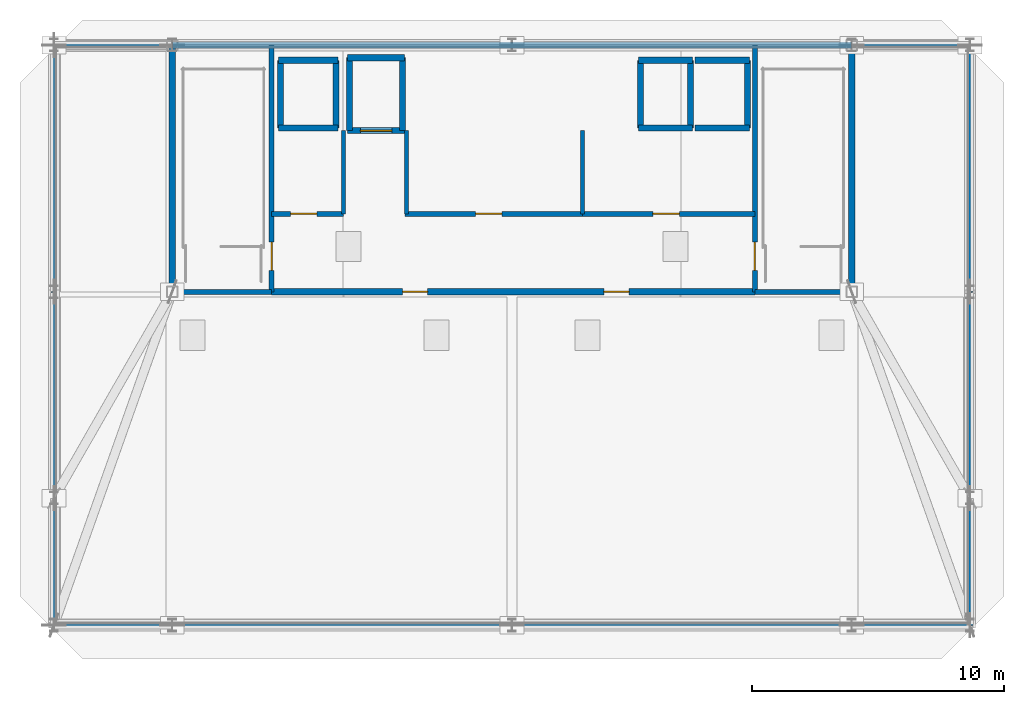
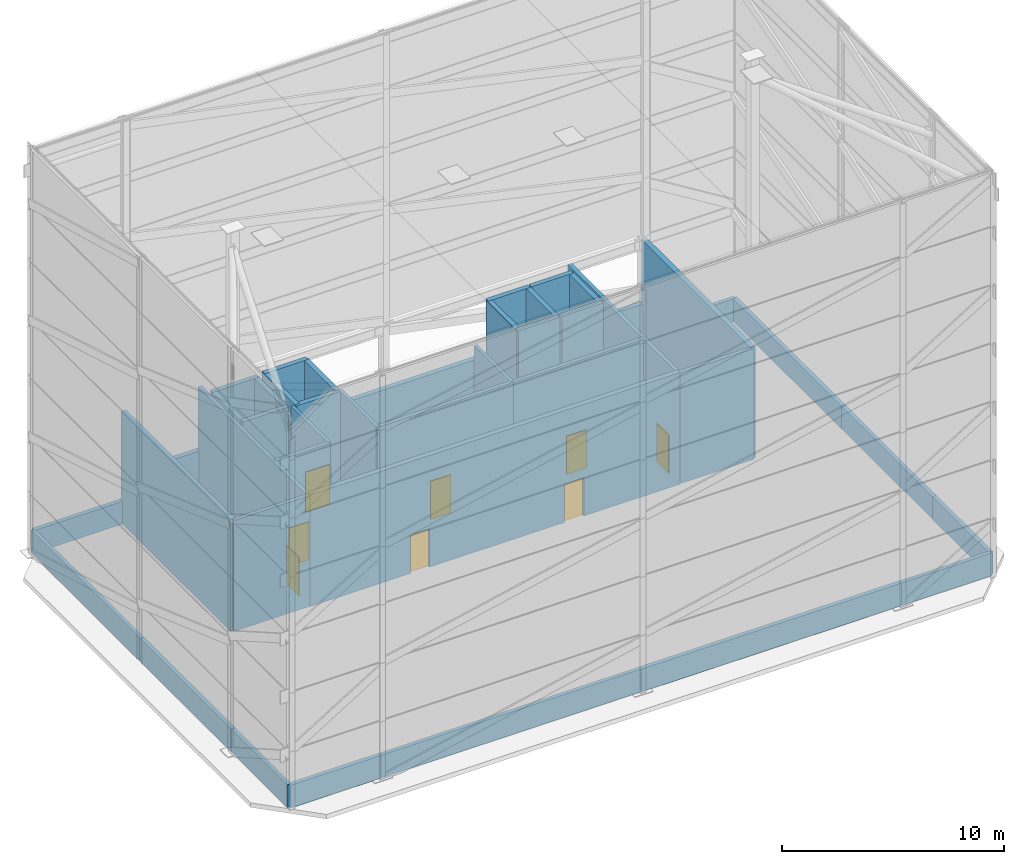
# One storey, part 6 of 8: 41 walls, 8 doors, 8 openings.
"""IFC4 building model written with IfcOpenShell, lengths in metres."""

from ifc_helpers import new_model, si_unit, direction, frame, frame_2d, origin, place, context, subcontext, project, spatial, rectangle, extrude, material, layer, layer_set, type_object, element, fill, save


model = new_model("IFC4")

# Units and contexts
model_context = context("Model", 3, precision=1e-05, world=origin(), true_north=direction((0.0, 1.0)))
body_context = subcontext(model_context, "Body", "Model", "MODEL_VIEW")
ifc_project = project(units=[si_unit("LENGTHUNIT", "METRE"), si_unit("AREAUNIT", "SQUARE_METRE"), si_unit("VOLUMEUNIT", "CUBIC_METRE"), si_unit("PLANEANGLEUNIT", "RADIAN"), si_unit("MASSUNIT", "GRAM", prefix="KILO")], contexts=[model_context])

# Site, building, storey
site_placement = place(None, origin())
site = spatial("IfcSite", under=ifc_project, at=site_placement, CompositionType="ELEMENT")
building_placement = place(site_placement, origin())
building = spatial("IfcBuilding", under=site, at=building_placement, Name="Haevon Station Towers", CompositionType="ELEMENT")
storey_placement = place(building_placement, frame((0.0, 0.0, 270.0)))
storey = spatial("IfcBuildingStorey", under=building, at=storey_placement, Name="Roof", CompositionType="ELEMENT", Elevation=270.0)

# Wall
ifc_material_1 = material(Name="Gypsum board on steel stud", Category="steel")
ifc_layer_1 = layer(ifc_material_1, 0.199951171875)
ifc_layer_set_1 = layer_set([ifc_layer_1], Name="Gypsum board on steel stud")
wall_type_1 = type_object("IfcWallType", Name="WL-COR200", PredefinedType="PARTITIONING", material=ifc_layer_set_1)
wall_1_placement = place(storey_placement, frame((24.0, 38.199951171875, 0.0), z_axis=(0.0, 0.0, 1.0), x_axis=(1.0, 0.0, 0.0)))
element("IfcWall", 1, at=wall_1_placement, inside=storey, type_object=wall_type_1, Name="WL-ST-ST1-Roof-S", PredefinedType="PARTITIONING", context=body_context, shape_type="SweptSolid", body=[
    extrude(rectangle(XDim=3.949951171875, YDim=0.199951171875, at=frame_2d((1.97509765625, 0.0))), origin(), (0.0, 0.0, 1.0), 6.080078125),
])

# Wall, opening, door
wall_2_placement = place(storey_placement, frame((27.949951171875, 38.199951171875, 0.0), z_axis=(0.0, 0.0, 1.0), x_axis=(0.0, 1.0, 0.0)))
wall_2 = element("IfcWall", 2, at=wall_2_placement, inside=storey, type_object=wall_type_1, Name="WL-ST-ST1-Roof-M", PredefinedType="PARTITIONING", context=body_context, shape_type="SweptSolid", body=[
    extrude(rectangle(XDim=9.800048828125, YDim=0.199951171875, at=frame_2d((4.89990234375, 0.0))), origin(), (0.0, 0.0, 1.0), 6.080078125),
])
opening_1_placement = place(wall_2_placement, frame((0.85009765625, 0.0, 0.0)))
opening_1 = element("IfcOpeningElement", 3, at=opening_1_placement, cuts=wall_2, Name="Opening DR-ST-ST1-Roof", PredefinedType="OPENING", context=body_context, shape_type="SweptSolid", body=[
    extrude(rectangle(XDim=1.1201171875, YDim=2.10009765625, at=frame_2d((0.56005859375, 1.050048828125))), frame((0.0, 0.10986328125, 0.0), z_axis=(0.0, -1.0, 0.0), x_axis=(1.0, 0.0, 0.0)), (0.0, 0.0, 1.0), 0.219970703125),
])
ifc_material_2 = material(Name="Engineered oak timber", Category="wood")
door_type_1 = type_object("IfcDoorType", Name="DR-ST-1120", OperationType="NOTDEFINED", PredefinedType="DOOR", material=ifc_material_2)
door_1_placement = place(opening_1_placement, origin())
door_1 = element("IfcDoor", 4, at=door_1_placement, inside=storey, type_object=door_type_1, Name="Roof Escape Stair ST1 Door", OperationType="SINGLE_SWING_RIGHT", OverallHeight=2.10009765625, OverallWidth=1.1201171875, PredefinedType="DOOR", context=body_context, shape_type="SweptSolid", body=[
    extrude(rectangle(XDim=1.1201171875, YDim=2.10009765625, at=frame_2d((0.56005859375, 1.050048828125))), frame((0.0, 0.02490234375, 0.0), z_axis=(0.0, -1.0, 0.0), x_axis=(1.0, 0.0, 0.0)), (0.0, 0.0, 1.0), 0.050048828125),
])
fill(opening_1, door_1)

# Wall
wall_3_placement = place(storey_placement, frame((47.14990234375, 38.199951171875, 0.0), z_axis=(0.0, 0.0, 1.0), x_axis=(1.0, 0.0, 0.0)))
element("IfcWall", 5, at=wall_3_placement, inside=storey, type_object=wall_type_1, Name="WL-ST-ST2-Roof-S", PredefinedType="PARTITIONING", context=body_context, shape_type="SweptSolid", body=[
    extrude(rectangle(XDim=3.85009765625, YDim=0.199951171875, at=frame_2d((1.925048828125, 0.0))), origin(), (0.0, 0.0, 1.0), 6.080078125),
])

# Wall, opening, door
wall_4_placement = place(storey_placement, frame((47.14990234375, 38.199951171875, 0.0), z_axis=(0.0, 0.0, 1.0), x_axis=(0.0, 1.0, 0.0)))
wall_4 = element("IfcWall", 6, at=wall_4_placement, inside=storey, type_object=wall_type_1, Name="WL-ST-ST2-Roof-M", PredefinedType="PARTITIONING", context=body_context, shape_type="SweptSolid", body=[
    extrude(rectangle(XDim=9.800048828125, YDim=0.199951171875, at=frame_2d((4.89990234375, 0.0))), origin(), (0.0, 0.0, 1.0), 6.080078125),
])
opening_2_placement = place(wall_4_placement, frame((0.85009765625, 0.0, 0.0)))
opening_2 = element("IfcOpeningElement", 7, at=opening_2_placement, cuts=wall_4, Name="Opening DR-ST-ST2-Roof", PredefinedType="OPENING", context=body_context, shape_type="SweptSolid", body=[
    extrude(rectangle(XDim=1.1201171875, YDim=2.10009765625, at=frame_2d((0.56005859375, 1.050048828125))), frame((0.0, 0.10986328125, 0.0), z_axis=(0.0, -1.0, 0.0), x_axis=(1.0, 0.0, 0.0)), (0.0, 0.0, 1.0), 0.219970703125),
])
door_2_placement = place(opening_2_placement, origin())
door_2 = element("IfcDoor", 8, at=door_2_placement, inside=storey, type_object=door_type_1, Name="Roof Escape Stair ST2 Door", OperationType="SINGLE_SWING_LEFT", OverallHeight=2.10009765625, OverallWidth=1.1201171875, PredefinedType="DOOR", context=body_context, shape_type="SweptSolid", body=[
    extrude(rectangle(XDim=1.1201171875, YDim=2.10009765625, at=frame_2d((0.56005859375, 1.050048828125))), frame((0.0, 0.02490234375, 0.0), z_axis=(0.0, -1.0, 0.0), x_axis=(1.0, 0.0, 0.0)), (0.0, 0.0, 1.0), 0.050048828125),
])
fill(opening_2, door_2)

wall_5_placement = place(storey_placement, frame((27.949951171875, 41.300048828125, 0.0), z_axis=(0.0, 0.0, 1.0), x_axis=(1.0, 0.0, 0.0)))
wall_5 = element("IfcWall", 9, at=wall_5_placement, inside=storey, type_object=wall_type_1, Name="WL-RF-WTANK-S", PredefinedType="PARTITIONING", context=body_context, shape_type="SweptSolid", body=[
    extrude(rectangle(XDim=2.85009765625, YDim=0.199951171875, at=frame_2d((1.425048828125, 0.0))), origin(), (0.0, 0.0, 1.0), 6.080078125),
])
opening_3_placement = place(wall_5_placement, frame((0.75, 0.0, 0.0)))
opening_3 = element("IfcOpeningElement", 10, at=opening_3_placement, cuts=wall_5, Name="Opening DR-RF-WTANK-S", PredefinedType="OPENING", context=body_context, shape_type="SweptSolid", body=[
    extrude(rectangle(XDim=1.050048828125, YDim=2.10009765625, at=frame_2d((0.52490234375, 1.050048828125))), frame((0.0, 0.10986328125, 0.0), z_axis=(0.0, -1.0, 0.0), x_axis=(1.0, 0.0, 0.0)), (0.0, 0.0, 1.0), 0.219970703125),
])
door_type_2 = type_object("IfcDoorType", Name="DR-FD60-1050", OperationType="NOTDEFINED", PredefinedType="DOOR", material=ifc_material_2)
door_3_placement = place(opening_3_placement, origin())
door_3 = element("IfcDoor", 11, at=door_3_placement, inside=storey, type_object=door_type_2, Name="Roof Water Tank Room Door", OperationType="SINGLE_SWING_LEFT", OverallHeight=2.10009765625, OverallWidth=1.050048828125, PredefinedType="DOOR", context=body_context, shape_type="SweptSolid", body=[
    extrude(rectangle(XDim=1.050048828125, YDim=2.10009765625, at=frame_2d((0.52490234375, 1.050048828125))), frame((0.0, 0.02490234375, 0.0), z_axis=(0.0, -1.0, 0.0), x_axis=(1.0, 0.0, 0.0)), (0.0, 0.0, 1.0), 0.050048828125),
])
fill(opening_3, door_3)

wall_6_placement = place(storey_placement, frame((33.25, 41.300048828125, 0.0), z_axis=(0.0, 0.0, 1.0), x_axis=(1.0, 0.0, 0.0)))
wall_6 = element("IfcWall", 12, at=wall_6_placement, inside=storey, type_object=wall_type_1, Name="WL-RF-OVERRUN-S", PredefinedType="PARTITIONING", context=body_context, shape_type="SweptSolid", body=[
    extrude(rectangle(XDim=7.050048828125, YDim=0.199951171875, at=frame_2d((3.52490234375, 0.0))), origin(), (0.0, 0.0, 1.0), 6.080078125),
])
opening_4_placement = place(wall_6_placement, frame((2.800048828125, 0.0, 0.0)))
opening_4 = element("IfcOpeningElement", 13, at=opening_4_placement, cuts=wall_6, Name="Opening DR-RF-OVERRUN-S", PredefinedType="OPENING", context=body_context, shape_type="SweptSolid", body=[
    extrude(rectangle(XDim=1.050048828125, YDim=2.10009765625, at=frame_2d((0.52490234375, 1.050048828125))), frame((0.0, 0.10986328125, 0.0), z_axis=(0.0, -1.0, 0.0), x_axis=(1.0, 0.0, 0.0)), (0.0, 0.0, 1.0), 0.219970703125),
])
door_4_placement = place(opening_4_placement, origin())
door_4 = element("IfcDoor", 14, at=door_4_placement, inside=storey, type_object=door_type_2, Name="Roof Hoist Machine Plant Room Door", OperationType="SINGLE_SWING_RIGHT", OverallHeight=2.10009765625, OverallWidth=1.050048828125, PredefinedType="DOOR", context=body_context, shape_type="SweptSolid", body=[
    extrude(rectangle(XDim=1.050048828125, YDim=2.10009765625, at=frame_2d((0.52490234375, 1.050048828125))), frame((0.0, 0.02490234375, 0.0), z_axis=(0.0, -1.0, 0.0), x_axis=(1.0, 0.0, 0.0)), (0.0, 0.0, 1.0), 0.050048828125),
])
fill(opening_4, door_4)

wall_7_placement = place(storey_placement, frame((40.300048828125, 41.300048828125, 0.0), z_axis=(0.0, 0.0, 1.0), x_axis=(1.0, 0.0, 0.0)))
wall_7 = element("IfcWall", 15, at=wall_7_placement, inside=storey, type_object=wall_type_1, Name="WL-RF-COOL-S", PredefinedType="PARTITIONING", context=body_context, shape_type="SweptSolid", body=[
    extrude(rectangle(XDim=6.849853515625, YDim=0.199951171875, at=frame_2d((3.4248046875, 0.0))), origin(), (0.0, 0.0, 1.0), 6.080078125),
])
opening_5_placement = place(wall_7_placement, frame((2.800048828125, 0.0, 0.0)))
opening_5 = element("IfcOpeningElement", 16, at=opening_5_placement, cuts=wall_7, Name="Opening DR-RF-COOL-S", PredefinedType="OPENING", context=body_context, shape_type="SweptSolid", body=[
    extrude(rectangle(XDim=1.050048828125, YDim=2.10009765625, at=frame_2d((0.52490234375, 1.050048828125))), frame((0.0, 0.10986328125, 0.0), z_axis=(0.0, -1.0, 0.0), x_axis=(1.0, 0.0, 0.0)), (0.0, 0.0, 1.0), 0.219970703125),
])
door_5_placement = place(opening_5_placement, origin())
door_5 = element("IfcDoor", 17, at=door_5_placement, inside=storey, type_object=door_type_2, Name="Roof Cooling Plant Room Door", OperationType="SINGLE_SWING_LEFT", OverallHeight=2.10009765625, OverallWidth=1.050048828125, PredefinedType="DOOR", context=body_context, shape_type="SweptSolid", body=[
    extrude(rectangle(XDim=1.050048828125, YDim=2.10009765625, at=frame_2d((0.52490234375, 1.050048828125))), frame((0.0, 0.02490234375, 0.0), z_axis=(0.0, -1.0, 0.0), x_axis=(1.0, 0.0, 0.0)), (0.0, 0.0, 1.0), 0.050048828125),
])
fill(opening_5, door_5)

# Wall, openings, doors
ifc_material_3 = material(Name="Precast concrete C45/55", Category="concrete")
ifc_layer_2 = layer(ifc_material_3, 0.260009765625)
ifc_layer_set_2 = layer_set([ifc_layer_2], Name="Precast concrete C45/55")
wall_type_2 = type_object("IfcWallType", Name="WL-CRN-PLT260", PredefinedType="SOLIDWALL", material=ifc_layer_set_2)
wall_8_placement = place(storey_placement, frame((47.14990234375, 38.199951171875, 0.0), z_axis=(0.0, 0.0, 1.0), x_axis=(-1.0, 0.0, 0.0)))
wall_8 = element("IfcWall", 18, at=wall_8_placement, inside=storey, type_object=wall_type_2, Name="WL-CRN-PLT-S", PredefinedType="SOLIDWALL", context=body_context, shape_type="SweptSolid", body=[
    extrude(rectangle(XDim=19.199951171875, YDim=0.260009765625, at=frame_2d((9.60009765625, 0.0))), origin(), (0.0, 0.0, 1.0), 6.1298828125),
])
opening_6_placement = place(wall_8_placement, frame((5.0, 0.0, 0.0)))
opening_6 = element("IfcOpeningElement", 19, at=opening_6_placement, cuts=wall_8, Name="Opening DR-RF-PLT-01", PredefinedType="OPENING", context=body_context, shape_type="SweptSolid", body=[
    extrude(rectangle(XDim=1.0, YDim=2.10009765625, at=frame_2d((0.5, 1.050048828125))), frame((0.0, 0.139892578125, 0.0), z_axis=(0.0, -1.0, 0.0), x_axis=(1.0, 0.0, 0.0)), (0.0, 0.0, 1.0), 0.280029296875),
])
opening_7_placement = place(wall_8_placement, frame((13.0, 0.0, 0.0)))
opening_7 = element("IfcOpeningElement", 20, at=opening_7_placement, cuts=wall_8, Name="Opening DR-RF-PLT-02", PredefinedType="OPENING", context=body_context, shape_type="SweptSolid", body=[
    extrude(rectangle(XDim=1.0, YDim=2.10009765625, at=frame_2d((0.5, 1.050048828125))), frame((0.0, 0.139892578125, 0.0), z_axis=(0.0, -1.0, 0.0), x_axis=(1.0, 0.0, 0.0)), (0.0, 0.0, 1.0), 0.280029296875),
])
ifc_material_4 = material(Name="Thermally broken anodised aluminium and laminated safety glass", Category="aluminium")
door_type_3 = type_object("IfcDoorType", Name="DR-RF-1000", OperationType="NOTDEFINED", PredefinedType="DOOR", material=ifc_material_4)
door_6_placement = place(opening_6_placement, origin())
door_6 = element("IfcDoor", 21, at=door_6_placement, inside=storey, type_object=door_type_3, Name="Rooftop Plant Lobby East Deck Door", OperationType="SINGLE_SWING_LEFT", OverallHeight=2.10009765625, OverallWidth=1.0, PredefinedType="DOOR", context=body_context, shape_type="SweptSolid", body=[
    extrude(rectangle(XDim=1.0, YDim=2.10009765625, at=frame_2d((0.5, 1.050048828125))), frame((0.0, 0.02490234375, 0.0), z_axis=(0.0, -1.0, 0.0), x_axis=(1.0, 0.0, 0.0)), (0.0, 0.0, 1.0), 0.050048828125),
])
fill(opening_6, door_6)
door_7_placement = place(opening_7_placement, origin())
door_7 = element("IfcDoor", 22, at=door_7_placement, inside=storey, type_object=door_type_3, Name="Rooftop Plant Lobby West Deck Door", OperationType="SINGLE_SWING_RIGHT", OverallHeight=2.10009765625, OverallWidth=1.0, PredefinedType="DOOR", context=body_context, shape_type="SweptSolid", body=[
    extrude(rectangle(XDim=1.0, YDim=2.10009765625, at=frame_2d((0.5, 1.050048828125))), frame((0.0, 0.02490234375, 0.0), z_axis=(0.0, -1.0, 0.0), x_axis=(1.0, 0.0, 0.0)), (0.0, 0.0, 1.0), 0.050048828125),
])
fill(opening_7, door_7)

# Walls
wall_9_placement = place(storey_placement, frame((24.0, 38.199951171875, 0.0), z_axis=(0.0, 0.0, 1.0), x_axis=(0.0, 1.0, 0.0)))
element("IfcWall", 23, at=wall_9_placement, inside=storey, type_object=wall_type_2, Name="WL-CRN-PLT-W", PredefinedType="SOLIDWALL", context=body_context, shape_type="SweptSolid", body=[
    extrude(rectangle(XDim=9.800048828125, YDim=0.260009765625, at=frame_2d((4.89990234375, 0.0))), origin(), (0.0, 0.0, 1.0), 6.1298828125),
])
wall_10_placement = place(storey_placement, frame((24.0, 48.0, 0.0), z_axis=(0.0, 0.0, 1.0), x_axis=(1.0, 0.0, 0.0)))
element("IfcWall", 24, at=wall_10_placement, inside=storey, type_object=wall_type_2, Name="WL-CRN-PLT-N", PredefinedType="SOLIDWALL", context=body_context, shape_type="SweptSolid", body=[
    extrude(rectangle(XDim=27.0, YDim=0.260009765625, at=frame_2d((13.5, 0.0))), origin(), (0.0, 0.0, 1.0), 2.6298828125),
])
wall_11_placement = place(storey_placement, frame((51.0, 48.0, 0.0), z_axis=(0.0, 0.0, 1.0), x_axis=(0.0, -1.0, 0.0)))
element("IfcWall", 25, at=wall_11_placement, inside=storey, type_object=wall_type_2, Name="WL-CRN-PLT-E", PredefinedType="SOLIDWALL", context=body_context, shape_type="SweptSolid", body=[
    extrude(rectangle(XDim=9.800048828125, YDim=0.260009765625, at=frame_2d((4.89990234375, 0.0))), origin(), (0.0, 0.0, 1.0), 6.1298828125),
])
ifc_layer_3 = layer(ifc_material_3, 0.199951171875)
ifc_layer_set_3 = layer_set([ifc_layer_3], Name="Precast concrete C45/55")
wall_type_3 = type_object("IfcWallType", Name="WL-PAR200", PredefinedType="PARAPET", material=ifc_layer_set_3)
wall_12_placement = place(storey_placement, frame((24.0, 24.949951171875, 0.0), z_axis=(0.0, 0.0, 1.0), x_axis=(1.0, 0.0, 0.0)))
element("IfcWall", 26, at=wall_12_placement, inside=storey, type_object=wall_type_3, Name="WL-RF-PAR-02", PredefinedType="PARAPET", context=body_context, shape_type="SweptSolid", body=[
    extrude(rectangle(XDim=13.5, YDim=0.199951171875, at=frame_2d((6.75, 0.0))), origin(), (0.0, 0.0, 1.0), 1.25),
])
wall_13_placement = place(storey_placement, frame((51.0, 24.949951171875, 0.0), z_axis=(0.0, 0.0, 1.0), x_axis=(1.0, 0.0, 0.0)))
element("IfcWall", 27, at=wall_13_placement, inside=storey, type_object=wall_type_3, Name="WL-RF-PAR-04", PredefinedType="PARAPET", context=body_context, shape_type="SweptSolid", body=[
    extrude(rectangle(XDim=4.699951171875, YDim=0.199951171875, at=frame_2d((2.35009765625, 0.0))), origin(), (0.0, 0.0, 1.0), 1.25),
])
wall_14_placement = place(storey_placement, frame((55.699951171875, 30.0, 0.0), z_axis=(0.0, 0.0, 1.0), x_axis=(0.0, 1.0, 0.0)))
element("IfcWall", 28, at=wall_14_placement, inside=storey, type_object=wall_type_3, Name="WL-RF-PAR-06", PredefinedType="PARAPET", context=body_context, shape_type="SweptSolid", body=[
    extrude(rectangle(XDim=8.199951171875, YDim=0.199951171875, at=frame_2d((4.10009765625, 0.0))), origin(), (0.0, 0.0, 1.0), 1.25),
])
wall_15_placement = place(storey_placement, frame((55.699951171875, 48.0, 0.0), z_axis=(0.0, 0.0, 1.0), x_axis=(-1.0, 0.0, 0.0)))
element("IfcWall", 29, at=wall_15_placement, inside=storey, type_object=wall_type_3, Name="WL-RF-PAR-08", PredefinedType="PARAPET", context=body_context, shape_type="SweptSolid", body=[
    extrude(rectangle(XDim=4.699951171875, YDim=0.199951171875, at=frame_2d((2.35009765625, 0.0))), origin(), (0.0, 0.0, 1.0), 1.25),
])
wall_16_placement = place(storey_placement, frame((19.300048828125, 48.0, 0.0), z_axis=(0.0, 0.0, 1.0), x_axis=(0.0, -1.0, 0.0)))
element("IfcWall", 30, at=wall_16_placement, inside=storey, type_object=wall_type_3, Name="WL-RF-PAR-12", PredefinedType="PARAPET", context=body_context, shape_type="SweptSolid", body=[
    extrude(rectangle(XDim=9.800048828125, YDim=0.199951171875, at=frame_2d((4.89990234375, 0.0))), origin(), (0.0, 0.0, 1.0), 1.25),
])
wall_17_placement = place(storey_placement, frame((19.300048828125, 30.0, 0.0), z_axis=(0.0, 0.0, 1.0), x_axis=(0.0, -1.0, 0.0)))
element("IfcWall", 31, at=wall_17_placement, inside=storey, type_object=wall_type_3, Name="WL-RF-PAR-14", PredefinedType="PARAPET", context=body_context, shape_type="SweptSolid", body=[
    extrude(rectangle(XDim=5.050048828125, YDim=0.199951171875, at=frame_2d((2.52490234375, 0.0))), origin(), (0.0, 0.0, 1.0), 1.25),
])
ifc_layer_4 = layer(ifc_material_3, 0.219970703125)
ifc_layer_set_4 = layer_set([ifc_layer_4], Name="Precast concrete C45/55")
wall_type_4 = type_object("IfcWallType", Name="WL-PAR220", PredefinedType="PARAPET", material=ifc_layer_set_4)
wall_18_placement = place(storey_placement, frame((19.300048828125, 24.949951171875, 0.0), z_axis=(0.0, 0.0, 1.0), x_axis=(1.0, 0.0, 0.0)))
element("IfcWall", 32, at=wall_18_placement, inside=storey, type_object=wall_type_4, Name="WL-RF-PAR-01", PredefinedType="PARAPET", context=body_context, shape_type="SweptSolid", body=[
    extrude(rectangle(XDim=4.699951171875, YDim=0.219970703125, at=frame_2d((2.35009765625, 0.0))), origin(), (0.0, 0.0, 1.0), 1.25),
])
wall_19_placement = place(storey_placement, frame((37.5, 24.949951171875, 0.0), z_axis=(0.0, 0.0, 1.0), x_axis=(1.0, 0.0, 0.0)))
element("IfcWall", 33, at=wall_19_placement, inside=storey, type_object=wall_type_4, Name="WL-RF-PAR-03", PredefinedType="PARAPET", context=body_context, shape_type="SweptSolid", body=[
    extrude(rectangle(XDim=13.5, YDim=0.219970703125, at=frame_2d((6.75, 0.0))), origin(), (0.0, 0.0, 1.0), 1.25),
])
wall_20_placement = place(storey_placement, frame((55.699951171875, 24.949951171875, 0.0), z_axis=(0.0, 0.0, 1.0), x_axis=(0.0, 1.0, 0.0)))
element("IfcWall", 34, at=wall_20_placement, inside=storey, type_object=wall_type_4, Name="WL-RF-PAR-05", PredefinedType="PARAPET", context=body_context, shape_type="SweptSolid", body=[
    extrude(rectangle(XDim=5.050048828125, YDim=0.219970703125, at=frame_2d((2.52490234375, 0.0))), origin(), (0.0, 0.0, 1.0), 1.25),
])
wall_21_placement = place(storey_placement, frame((55.699951171875, 38.199951171875, 0.0), z_axis=(0.0, 0.0, 1.0), x_axis=(0.0, 1.0, 0.0)))
element("IfcWall", 35, at=wall_21_placement, inside=storey, type_object=wall_type_4, Name="WL-RF-PAR-07", PredefinedType="PARAPET", context=body_context, shape_type="SweptSolid", body=[
    extrude(rectangle(XDim=9.800048828125, YDim=0.219970703125, at=frame_2d((4.89990234375, 0.0))), origin(), (0.0, 0.0, 1.0), 1.25),
])
wall_22_placement = place(storey_placement, frame((24.0, 48.0, 0.0), z_axis=(0.0, 0.0, 1.0), x_axis=(-1.0, 0.0, 0.0)))
element("IfcWall", 36, at=wall_22_placement, inside=storey, type_object=wall_type_4, Name="WL-RF-PAR-11", PredefinedType="PARAPET", context=body_context, shape_type="SweptSolid", body=[
    extrude(rectangle(XDim=4.699951171875, YDim=0.219970703125, at=frame_2d((2.35009765625, 0.0))), origin(), (0.0, 0.0, 1.0), 1.25),
])
wall_23_placement = place(storey_placement, frame((19.300048828125, 38.199951171875, 0.0), z_axis=(0.0, 0.0, 1.0), x_axis=(0.0, -1.0, 0.0)))
element("IfcWall", 37, at=wall_23_placement, inside=storey, type_object=wall_type_4, Name="WL-RF-PAR-13", PredefinedType="PARAPET", context=body_context, shape_type="SweptSolid", body=[
    extrude(rectangle(XDim=8.199951171875, YDim=0.219970703125, at=frame_2d((4.10009765625, 0.0))), origin(), (0.0, 0.0, 1.0), 1.25),
])
ifc_layer_5 = layer(ifc_material_1, 0.159912109375)
ifc_layer_set_5 = layer_set([ifc_layer_5], Name="Gypsum board on steel stud")
wall_type_5 = type_object("IfcWallType", Name="WL-PRT160", PredefinedType="PARTITIONING", material=ifc_layer_set_5)
for number, where, z_axis, x_axis, name in (
    (38, (30.800048828125, 41.300048828125, 0.0), (0.0, 0.0, 1.0), (0.0, 1.0, 0.0), "WL-RF-SL1-W"),
    (39, (33.300048828125, 41.300048828125, 0.0), (0.0, 0.0, 1.0), (0.0, 1.0, 0.0), "WL-RF-SL1-E"),
    (40, (40.300048828125, 41.300048828125, 0.0), (0.0, 0.0, 1.0), (0.0, 1.0, 0.0), "WL-RF-PLT-DIV"),
):
    element("IfcWall", number, at=place(storey_placement, frame(where, z_axis=z_axis, x_axis=x_axis)), inside=storey, type_object=wall_type_5, Name=name, PredefinedType="PARTITIONING", context=body_context, shape_type="SweptSolid", body=[
        extrude(rectangle(XDim=3.300048828125, YDim=0.159912109375, at=frame_2d((1.64990234375, 0.0))), origin(), (0.0, 0.0, 1.0), 6.080078125),
    ])
ifc_material_5 = material(Name="Concrete C40/50", Category="concrete")
ifc_layer_6 = layer(ifc_material_5, 0.239990234375)
ifc_layer_set_6 = layer_set([ifc_layer_6], Name="Concrete C40/50")
wall_type_6 = type_object("IfcWallType", Name="WL-SHF240", PredefinedType="PARTITIONING", material=ifc_layer_set_6)
for number, where, z_axis, x_axis, name in (
    (41, (28.219970703125, 44.699951171875, 0.0), (0.0, 0.0, 1.0), (1.0, 0.0, 0.0), "WL-SHF-FL1-Roof"),
    (42, (28.219970703125, 47.39990234375, 0.0), (0.0, 0.0, 1.0), (1.0, 0.0, 0.0), "WL-SHF-FL1-Roof-N"),
):
    element("IfcWall", number, at=place(storey_placement, frame(where, z_axis=z_axis, x_axis=x_axis)), inside=storey, type_object=wall_type_6, Name=name, PredefinedType="PARTITIONING", context=body_context, shape_type="SweptSolid", body=[
        extrude(rectangle(XDim=2.360107421875, YDim=0.239990234375, at=frame_2d((1.18017578125, 0.0))), origin(), (0.0, 0.0, 1.0), 6.080078125),
    ])
for number, where, z_axis, x_axis, name in (
    (43, (28.300048828125, 44.699951171875, 0.0), (0.0, 0.0, 1.0), (0.0, 1.0, 0.0), "WL-SHF-FL1-Roof-W"),
    (44, (30.5, 44.699951171875, 0.0), (0.0, 0.0, 1.0), (0.0, 1.0, 0.0), "WL-SHF-FL1-Roof-E"),
):
    element("IfcWall", number, at=place(storey_placement, frame(where, z_axis=z_axis, x_axis=x_axis)), inside=storey, type_object=wall_type_6, Name=name, PredefinedType="PARTITIONING", context=body_context, shape_type="SweptSolid", body=[
        extrude(rectangle(XDim=2.699951171875, YDim=0.239990234375, at=frame_2d((1.35009765625, 0.0))), origin(), (0.0, 0.0, 1.0), 6.080078125),
    ])

# Wall, opening, door
wall_24_placement = place(storey_placement, frame((30.969970703125, 44.60009765625, 0.0), z_axis=(0.0, 0.0, 1.0), x_axis=(1.0, 0.0, 0.0)))
wall_24 = element("IfcWall", 45, at=wall_24_placement, inside=storey, type_object=wall_type_6, Name="WL-SHF-SL1-Roof", PredefinedType="PARTITIONING", context=body_context, shape_type="SweptSolid", body=[
    extrude(rectangle(XDim=2.260009765625, YDim=0.239990234375, at=frame_2d((1.1298828125, 0.0))), origin(), (0.0, 0.0, 1.0), 6.080078125),
])
opening_8_placement = place(wall_24_placement, frame((0.5048828125, 0.0, 0.0)))
opening_8 = element("IfcOpeningElement", 46, at=opening_8_placement, cuts=wall_24, Name="Opening LD-SL1-Roof", PredefinedType="OPENING", context=body_context, shape_type="SweptSolid", body=[
    extrude(rectangle(XDim=1.25, YDim=2.199951171875, at=frame_2d((0.625, 1.10009765625))), frame((0.0, 0.1298828125, 0.0), z_axis=(0.0, -1.0, 0.0), x_axis=(1.0, 0.0, 0.0)), (0.0, 0.0, 1.0), 0.260009765625),
])
ifc_material_6 = material(Name="Stainless steel and rated core", Category="steel")
door_type_4 = type_object("IfcDoorType", Name="LD-SL1250", OperationType="SLIDING_TO_LEFT", PredefinedType="DOOR", material=ifc_material_6)
door_8_placement = place(opening_8_placement, origin())
door_8 = element("IfcDoor", 47, at=door_8_placement, inside=storey, type_object=door_type_4, Name="Roof Lift SL1 Sliding Landing Door", OperationType="SLIDING_TO_LEFT", OverallHeight=2.199951171875, OverallWidth=1.25, PredefinedType="DOOR", context=body_context, shape_type="SweptSolid", body=[
    extrude(rectangle(XDim=1.25, YDim=2.199951171875, at=frame_2d((0.625, 1.10009765625))), frame((0.0, 0.02490234375, 0.0), z_axis=(0.0, -1.0, 0.0), x_axis=(1.0, 0.0, 0.0)), (0.0, 0.0, 1.0), 0.050048828125),
])
fill(opening_8, door_8)

# Walls
wall_25_placement = place(storey_placement, frame((30.969970703125, 47.5, 0.0), z_axis=(0.0, 0.0, 1.0), x_axis=(1.0, 0.0, 0.0)))
element("IfcWall", 48, at=wall_25_placement, inside=storey, type_object=wall_type_6, Name="WL-SHF-SL1-Roof-N", PredefinedType="PARTITIONING", context=body_context, shape_type="SweptSolid", body=[
    extrude(rectangle(XDim=2.260009765625, YDim=0.239990234375, at=frame_2d((1.1298828125, 0.0))), origin(), (0.0, 0.0, 1.0), 6.080078125),
])
for number, where, z_axis, x_axis, name in (
    (49, (31.050048828125, 44.60009765625, 0.0), (0.0, 0.0, 1.0), (0.0, 1.0, 0.0), "WL-SHF-SL1-Roof-W"),
    (50, (33.14990234375, 44.60009765625, 0.0), (0.0, 0.0, 1.0), (0.0, 1.0, 0.0), "WL-SHF-SL1-Roof-E"),
):
    element("IfcWall", number, at=place(storey_placement, frame(where, z_axis=z_axis, x_axis=x_axis)), inside=storey, type_object=wall_type_6, Name=name, PredefinedType="PARTITIONING", context=body_context, shape_type="SweptSolid", body=[
        extrude(rectangle(XDim=2.89990234375, YDim=0.239990234375, at=frame_2d((1.449951171875, 0.0))), origin(), (0.0, 0.0, 1.0), 6.080078125),
    ])
for number, where, z_axis, x_axis, name in (
    (51, (42.52001953125, 44.699951171875, 0.0), (0.0, 0.0, 1.0), (1.0, 0.0, 0.0), "WL-SHF-PL5-Roof"),
    (52, (42.52001953125, 47.39990234375, 0.0), (0.0, 0.0, 1.0), (1.0, 0.0, 0.0), "WL-SHF-PL5-Roof-N"),
):
    element("IfcWall", number, at=place(storey_placement, frame(where, z_axis=z_axis, x_axis=x_axis)), inside=storey, type_object=wall_type_6, Name=name, PredefinedType="PARTITIONING", context=body_context, shape_type="SweptSolid", body=[
        extrude(rectangle(XDim=2.159912109375, YDim=0.239990234375, at=frame_2d((1.080078125, 0.0))), origin(), (0.0, 0.0, 1.0), 6.080078125),
    ])
for number, where, z_axis, x_axis, name in (
    (53, (42.60009765625, 44.699951171875, 0.0), (0.0, 0.0, 1.0), (0.0, 1.0, 0.0), "WL-SHF-PL5-Roof-W"),
    (54, (44.60009765625, 44.699951171875, 0.0), (0.0, 0.0, 1.0), (0.0, 1.0, 0.0), "WL-SHF-PL5-Roof-E"),
):
    element("IfcWall", number, at=place(storey_placement, frame(where, z_axis=z_axis, x_axis=x_axis)), inside=storey, type_object=wall_type_6, Name=name, PredefinedType="PARTITIONING", context=body_context, shape_type="SweptSolid", body=[
        extrude(rectangle(XDim=2.699951171875, YDim=0.239990234375, at=frame_2d((1.35009765625, 0.0))), origin(), (0.0, 0.0, 1.0), 6.080078125),
    ])
for number, where, z_axis, x_axis, name in (
    (55, (44.77001953125, 44.699951171875, 0.0), (0.0, 0.0, 1.0), (1.0, 0.0, 0.0), "WL-SHF-PL6-Roof"),
    (56, (44.77001953125, 47.39990234375, 0.0), (0.0, 0.0, 1.0), (1.0, 0.0, 0.0), "WL-SHF-PL6-Roof-N"),
):
    element("IfcWall", number, at=place(storey_placement, frame(where, z_axis=z_axis, x_axis=x_axis)), inside=storey, type_object=wall_type_6, Name=name, PredefinedType="PARTITIONING", context=body_context, shape_type="SweptSolid", body=[
        extrude(rectangle(XDim=2.159912109375, YDim=0.239990234375, at=frame_2d((1.080078125, 0.0))), origin(), (0.0, 0.0, 1.0), 6.080078125),
    ])
wall_26_placement = place(storey_placement, frame((46.85009765625, 44.699951171875, 0.0), z_axis=(0.0, 0.0, 1.0), x_axis=(0.0, 1.0, 0.0)))
element("IfcWall", 57, at=wall_26_placement, inside=storey, type_object=wall_type_6, Name="WL-SHF-PL6-Roof-E", PredefinedType="PARTITIONING", context=body_context, shape_type="SweptSolid", body=[
    extrude(rectangle(XDim=2.699951171875, YDim=0.239990234375, at=frame_2d((1.35009765625, 0.0))), origin(), (0.0, 0.0, 1.0), 6.080078125),
])

save(model, "model.ifc")
